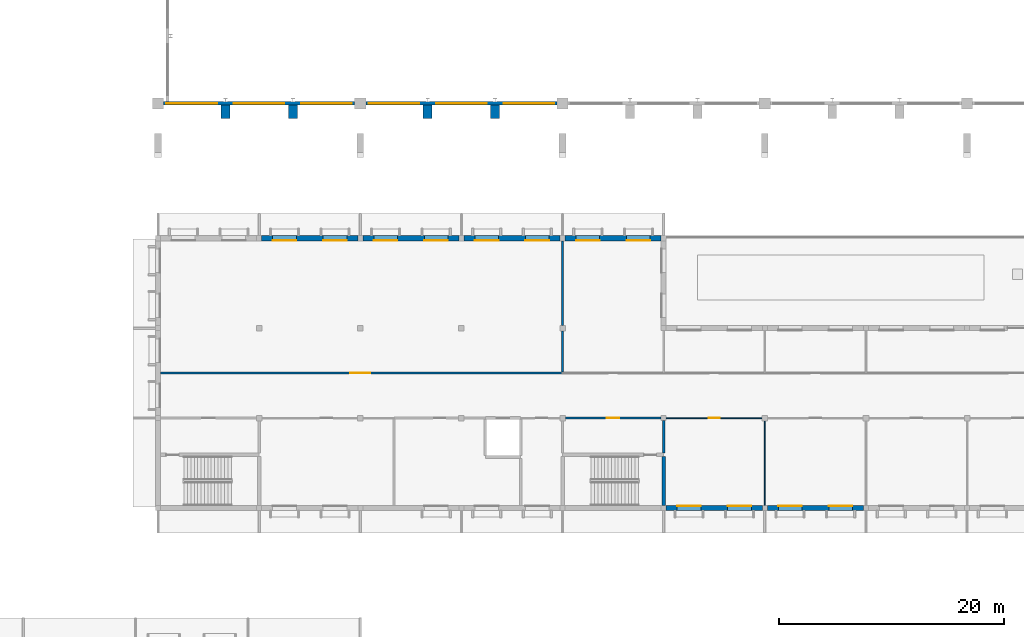
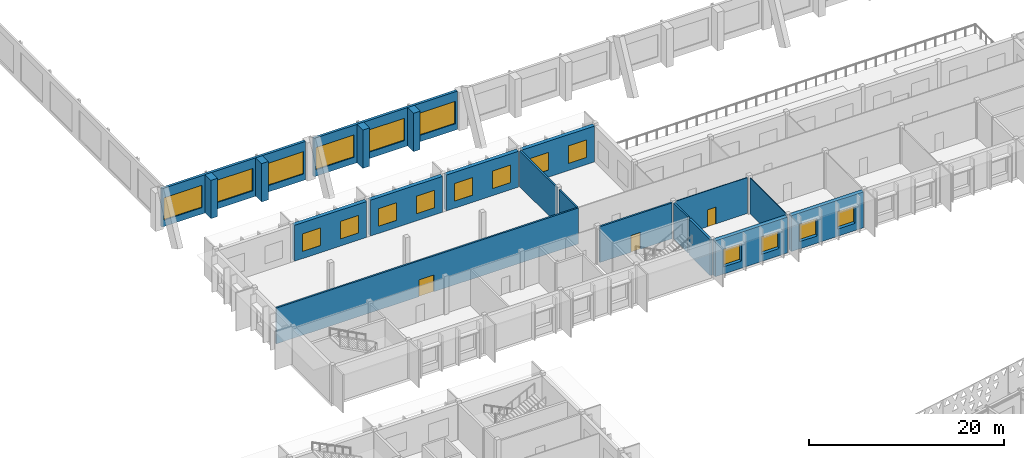
# One storey, part 127 of 182: 20 walls, 18 windows, 3 doors, 21 openings.
"""IFC4 building model written with IfcOpenShell, lengths in metres."""

import ifcopenshell
import ifcopenshell.guid

model = None  # the IFC model being written
_history = None  # IfcOwnerHistory: only IFC2X3 demands one
_inside = {}  # id of a spatial element -> (the spatial element, [elements in it])
_under = {}  # id of a project, library or spatial element -> (it, [spatial elements below it])
_declared = {}  # id of a project -> (the project, [libraries it declares])
_typed = {}  # id of a type object -> (the type object, [elements of that type])
_made_of = {}  # id of a material, layer set ... -> (it, [elements and type objects made of it])


def new_model(schema):
    """Start an empty IFC model of exactly this schema.

    Asked for "IFC4X3", IfcOpenShell would pick the latest addendum, in which some entities
    have other attributes; the version numbers below select the first issue.
    IFC2X3 requires an IfcOwnerHistory on every rooted entity: one is made here for all.
    """
    global model, _history
    if schema == "IFC4X3":
        model = ifcopenshell.file(schema_version=(4, 3, 0, 0))
    else:
        model = ifcopenshell.file(schema=schema)
    _inside.clear()
    _under.clear()
    _declared.clear()
    _typed.clear()
    _made_of.clear()
    _history = None
    if model.schema == "IFC2X3":
        org = make("IfcOrganization", Name="unknown")
        user = make(
            "IfcPersonAndOrganization",
            ThePerson=make("IfcPerson", FamilyName="unknown"),
            TheOrganization=org,
        )
        app = make(
            "IfcApplication",
            ApplicationDeveloper=org,
            Version="unknown",
            ApplicationFullName="unknown",
            ApplicationIdentifier="unknown",
        )
        _history = make(
            "IfcOwnerHistory",
            OwningUser=user,
            OwningApplication=app,
            ChangeAction="ADDED",
            CreationDate=0,
        )
    return model


def make(cls, **values):
    """One entity of the class cls with the attributes given. An attribute that is None is left unset."""
    return model.create_entity(
        cls, **{name: value for name, value in values.items() if value is not None}
    )


def rooted(cls, **values):
    """An entity with a GlobalId (a new one), such as an element, a storey or a relation."""
    return make(cls, GlobalId=ifcopenshell.guid.new(), OwnerHistory=_history, **values)


def si_unit(unit_type, name, prefix=None):
    """IfcSIUnit, for example si_unit("LENGTHUNIT", "METRE", prefix="MILLI")."""
    return make("IfcSIUnit", UnitType=unit_type, Prefix=prefix, Name=name)


def assignment(units):
    """IfcUnitAssignment: the units of a project."""
    return None if units is None else make("IfcUnitAssignment", Units=units)


def point(xyz):
    """IfcCartesianPoint."""
    return None if xyz is None else make("IfcCartesianPoint", Coordinates=xyz)


def direction(xyz):
    """IfcDirection."""
    return None if xyz is None else make("IfcDirection", DirectionRatios=xyz)


def frame(location, z_axis=None, x_axis=None):
    """IfcAxis2Placement3D, a coordinate frame: its origin and axes. An axis left out is left unset."""
    return make(
        "IfcAxis2Placement3D",
        Location=point(location),
        Axis=direction(z_axis),
        RefDirection=direction(x_axis),
    )


def frame_2d(location, x_axis=None):
    """IfcAxis2Placement2D, a coordinate frame in the plane: its origin and x axis."""
    return make(
        "IfcAxis2Placement2D", Location=point(location), RefDirection=direction(x_axis)
    )


def origin():
    """The frame at (0, 0, 0) with its axes left unset."""
    return frame((0.0, 0.0, 0.0))


def place(relative_to, where):
    """IfcLocalPlacement: puts the frame where relative to a parent placement (None: the world)."""
    return make(
        "IfcLocalPlacement", PlacementRelTo=relative_to, RelativePlacement=where
    )


def context(
    kind, dimensions, precision=None, world=None, true_north=None, identifier=None
):
    """IfcGeometricRepresentationContext, for example the 3D "Model" context."""
    return make(
        "IfcGeometricRepresentationContext",
        ContextIdentifier=identifier,
        ContextType=kind,
        CoordinateSpaceDimension=dimensions,
        Precision=precision,
        WorldCoordinateSystem=world,
        TrueNorth=true_north,
    )


def subcontext(parent, identifier, kind, view, scale=None):
    """IfcGeometricRepresentationSubContext, for example "Body" below "Model"."""
    return make(
        "IfcGeometricRepresentationSubContext",
        ContextIdentifier=identifier,
        ContextType=kind,
        ParentContext=parent,
        TargetScale=scale,
        TargetView=view,
    )


def project(units=None, contexts=None):
    """IfcProject with its units and contexts."""
    return rooted(
        "IfcProject",
        Name="project",
        RepresentationContexts=contexts,
        UnitsInContext=assignment(units),
    )


def spatial(cls, under=None, at=None, **own):
    """A site, building, storey or space (cls), placed at a placement, below another one or the project."""
    s = rooted(cls, ObjectPlacement=at, **own)
    if under is not None:
        _under.setdefault(under.id(), (under, []))[1].append(s)
    return s


def profile(cls, at=None, kind="AREA", **sizes):
    """A parametric profile (cls). Its sizes go by their IFC names, for example OverallWidth=200.0."""
    return make(cls, ProfileType=kind, Position=at, **sizes)


def rectangle(**sizes):
    """IfcRectangleProfileDef."""
    return profile("IfcRectangleProfileDef", **sizes)


def extrude(swept, where, along, depth):
    """IfcExtrudedAreaSolid: the profile swept, set in the frame where, extruded along a direction by depth."""
    return make(
        "IfcExtrudedAreaSolid",
        SweptArea=swept,
        Position=where,
        ExtrudedDirection=direction(along),
        Depth=depth,
    )


def shape(context_of_items, identifier, shape_type, items):
    """IfcShapeRepresentation: the items that make up one representation, for example the "Body"."""
    return make(
        "IfcShapeRepresentation",
        ContextOfItems=context_of_items,
        RepresentationIdentifier=identifier,
        RepresentationType=shape_type,
        Items=items,
    )


def material(Name=None, Category=None):
    """IfcMaterial."""
    return make("IfcMaterial", Name=Name, Category=Category)


def layer(
    of_material, thickness, ventilated=None, Name=None, Category=None, Priority=None
):
    """IfcMaterialLayer: one layer of a wall or slab, of a material (None: an air gap)."""
    return make(
        "IfcMaterialLayer",
        Material=of_material,
        LayerThickness=thickness,
        IsVentilated=ventilated,
        Name=Name,
        Category=Category,
        Priority=Priority,
    )


def layer_set(layers, Name=None):
    """IfcMaterialLayerSet."""
    return make("IfcMaterialLayerSet", MaterialLayers=layers, LayerSetName=Name)


def made_of(thing, what):
    """Note that an element or type object is made of a material, layer set ...; save() writes the relation."""
    if what is not None:
        _made_of.setdefault(what.id(), (what, []))[1].append(thing)
    return thing


def type_object(cls, material=None, **own):
    """A type object (cls), such as IfcWallType, which elements share."""
    return made_of(rooted(cls, **own), material)


def element(
    cls,
    number,
    at=None,
    inside=None,
    cuts=None,
    type_object=None,
    material=None,
    context=None,
    identifier="Body",
    shape_type=None,
    held_by="IfcProductDefinitionShape",
    body=None,
    shapes=None,
    **own,
):
    """One element of the class cls, such as IfcWall. Its Tag is "e" and its number.

    at: its placement. inside: the storey or other place that contains it. cuts: it is an
    opening in that element (IfcRelVoidsElement). A single representation is given by context,
    identifier, shape_type and body (its items); several are given by shapes. held_by: the class
    of the entity that holds the representations. save() writes the other relations.
    """
    e = rooted(cls, Tag="e%d" % number, ObjectPlacement=at, **own)
    if body is not None:
        shapes = [shape(context, identifier, shape_type, body)]
    if shapes is not None:
        e.Representation = make(held_by, Representations=shapes)
    if inside is not None:
        _inside.setdefault(inside.id(), (inside, []))[1].append(e)
    if cuts is not None:
        rooted(
            "IfcRelVoidsElement", RelatingBuildingElement=cuts, RelatedOpeningElement=e
        )
    if type_object is not None:
        _typed.setdefault(type_object.id(), (type_object, []))[1].append(e)
    return made_of(e, material)


def fill(opening, filler):
    """IfcRelFillsElement: the door or window that sits in an opening."""
    return rooted(
        "IfcRelFillsElement",
        RelatingOpeningElement=opening,
        RelatedBuildingElement=filler,
    )


def aggregate(whole, parts):
    """IfcRelAggregates: a whole, such as a stair, and the parts it consists of."""
    return rooted("IfcRelAggregates", RelatingObject=whole, RelatedObjects=parts)


def save(model, path):
    """Write the relations noted so far, then the file.

    IfcRelAggregates (storeys below a building ...), IfcRelContainedInSpatialStructure (elements
    in a storey), IfcRelDefinesByType, IfcRelAssociatesMaterial and IfcRelDeclares: one each for
    every whole, place, type object, material and project.
    """
    for whole, parts in _under.values():
        aggregate(whole, parts)
    for where, things in _inside.values():
        rooted(
            "IfcRelContainedInSpatialStructure",
            RelatedElements=things,
            RelatingStructure=where,
        )
    for kind, things in _typed.values():
        rooted("IfcRelDefinesByType", RelatedObjects=things, RelatingType=kind)
    for what, things in _made_of.values():
        rooted("IfcRelAssociatesMaterial", RelatedObjects=things, RelatingMaterial=what)
    for by, libraries in _declared.values():
        rooted("IfcRelDeclares", RelatingContext=by, RelatedDefinitions=libraries)
    model.write(path)


model = new_model("IFC4")

# Units and contexts
model_context = context("Model", 3, precision=1e-05, world=origin(), true_north=direction((0.0, 1.0)))
body_context = subcontext(model_context, "Body", "Model", "MODEL_VIEW")
ifc_project = project(units=[si_unit("LENGTHUNIT", "METRE"), si_unit("AREAUNIT", "SQUARE_METRE"), si_unit("VOLUMEUNIT", "CUBIC_METRE"), si_unit("PLANEANGLEUNIT", "RADIAN"), si_unit("MASSUNIT", "GRAM", prefix="KILO")], contexts=[model_context])

# Site, building, storey
site_placement = place(None, origin())
site = spatial("IfcSite", under=ifc_project, at=site_placement, CompositionType="ELEMENT")
building_placement = place(site_placement, origin())
building = spatial("IfcBuilding", under=site, at=building_placement, Name="Okhra Congress Centre", CompositionType="ELEMENT")
storey_placement = place(building_placement, frame((0.0, 0.0, 7.199951171875)))
storey = spatial("IfcBuildingStorey", under=building, at=storey_placement, Name="L01", CompositionType="ELEMENT", Elevation=7.199951171875)

# Walls
ifc_material_1 = material(Name="Concrete C35/45", Category="concrete")
ifc_layer_1 = layer(ifc_material_1, 0.800048828125)
ifc_layer_set_1 = layer_set([ifc_layer_1], Name="Buttress fin 800 REI 120 C35/45")
wall_type_1 = type_object("IfcWallType", Name="Buttress fin 800 REI 120 C35/45", PredefinedType="SOLIDWALL", material=ifc_layer_set_1)
for number, where, z_axis, x_axis, name in (
    (1, (34.0, 130.64990234375, 0.0), (0.0, 0.0, 1.0), (0.0, 1.0, 0.0), "EH.WALL.L01.8"),
    (2, (40.0, 130.64990234375, 0.0), (0.0, 0.0, 1.0), (0.0, 1.0, 0.0), "EH.WALL.L01.9"),
    (3, (52.0, 130.64990234375, 0.0), (0.0, 0.0, 1.0), (0.0, 1.0, 0.0), "EH.WALL.L01.10"),
    (4, (58.0, 130.64990234375, 0.0), (0.0, 0.0, 1.0), (0.0, 1.0, 0.0), "EH.WALL.L01.11"),
):
    element("IfcWall", number, at=place(storey_placement, frame(where, z_axis=z_axis, x_axis=x_axis)), inside=storey, type_object=wall_type_1, Name=name, PredefinedType="SOLIDWALL", context=body_context, shape_type="SweptSolid", body=[
        extrude(rectangle(XDim=1.210205078125, YDim=0.800048828125, at=frame_2d((0.60498046875, 0.0))), origin(), (0.0, 0.0, 1.0), 4.800048828125),
    ])

# Wall, openings, windows
ifc_material_2 = material(Name="Insulated metal sandwich panel (mineral wool core)")
ifc_layer_2 = layer(ifc_material_2, 0.300048828125)
ifc_layer_set_2 = layer_set([ifc_layer_2], Name="Insulated wall panel 300")
wall_type_2 = type_object("IfcWallType", Name="Insulated wall panel 300", PredefinedType="SOLIDWALL", material=ifc_layer_set_2)
wall_1_placement = place(storey_placement, frame((28.5, 132.0, 0.0), z_axis=(0.0, 0.0, 1.0), x_axis=(1.0, 0.0, 0.0)))
wall_1 = element("IfcWall", 5, at=wall_1_placement, inside=storey, type_object=wall_type_2, Name="EH.WALL.L01.1", PredefinedType="SOLIDWALL", context=body_context, shape_type="SweptSolid", body=[
    extrude(rectangle(XDim=17.0, YDim=0.300048828125, at=frame_2d((8.5, 0.0))), origin(), (0.0, 0.0, 1.0), 4.800048828125),
])
opening_1_placement = place(wall_1_placement, frame((0.25, 0.0, 0.800048828125)))
opening_1 = element("IfcOpeningElement", 6, at=opening_1_placement, cuts=wall_1, Name="Opening WN3", PredefinedType="OPENING", context=body_context, shape_type="SweptSolid", body=[
    extrude(rectangle(XDim=4.5, YDim=2.800048828125, at=frame_2d((2.25, 1.39990234375))), frame((0.0, 0.159912109375, 0.0), z_axis=(0.0, -1.0, 0.0), x_axis=(1.0, 0.0, 0.0)), (0.0, 0.0, 1.0), 0.320068359375),
])
opening_2_placement = place(wall_1_placement, frame((6.25, 0.0, 0.800048828125)))
opening_2 = element("IfcOpeningElement", 7, at=opening_2_placement, cuts=wall_1, Name="Opening WN3", PredefinedType="OPENING", context=body_context, shape_type="SweptSolid", body=[
    extrude(rectangle(XDim=4.5, YDim=2.800048828125, at=frame_2d((2.25, 1.39990234375))), frame((0.0, 0.159912109375, 0.0), z_axis=(0.0, -1.0, 0.0), x_axis=(1.0, 0.0, 0.0)), (0.0, 0.0, 1.0), 0.320068359375),
])
opening_3_placement = place(wall_1_placement, frame((12.25, 0.0, 0.800048828125)))
opening_3 = element("IfcOpeningElement", 8, at=opening_3_placement, cuts=wall_1, Name="Opening WN3", PredefinedType="OPENING", context=body_context, shape_type="SweptSolid", body=[
    extrude(rectangle(XDim=4.5, YDim=2.800048828125, at=frame_2d((2.25, 1.39990234375))), frame((0.0, 0.159912109375, 0.0), z_axis=(0.0, -1.0, 0.0), x_axis=(1.0, 0.0, 0.0)), (0.0, 0.0, 1.0), 0.320068359375),
])
ifc_material_3 = material(Name="Thermally broken aluminium frame, triple glazing", Category="aluminium")
window_type_1 = type_object("IfcWindowType", Name="Fixed window 4500x2800", PartitioningType="SINGLE_PANEL", PredefinedType="WINDOW", material=ifc_material_3)
window_1_placement = place(opening_1_placement, origin())
window_1 = element("IfcWindow", 9, at=window_1_placement, inside=storey, type_object=window_type_1, Name="EH.WIN.L01.1", OverallHeight=2.800048828125, OverallWidth=4.5, PartitioningType="SINGLE_PANEL", PredefinedType="WINDOW", context=body_context, shape_type="SweptSolid", body=[
    extrude(rectangle(XDim=4.5, YDim=2.800048828125, at=frame_2d((2.25, 1.39990234375))), frame((0.0, 0.030029296875, 0.0), z_axis=(0.0, -1.0, 0.0), x_axis=(1.0, 0.0, 0.0)), (0.0, 0.0, 1.0), 0.06005859375),
])
fill(opening_1, window_1)
window_2_placement = place(opening_2_placement, origin())
window_2 = element("IfcWindow", 10, at=window_2_placement, inside=storey, type_object=window_type_1, Name="EH.WIN.L01.2", OverallHeight=2.800048828125, OverallWidth=4.5, PartitioningType="SINGLE_PANEL", PredefinedType="WINDOW", context=body_context, shape_type="SweptSolid", body=[
    extrude(rectangle(XDim=4.5, YDim=2.800048828125, at=frame_2d((2.25, 1.39990234375))), frame((0.0, 0.030029296875, 0.0), z_axis=(0.0, -1.0, 0.0), x_axis=(1.0, 0.0, 0.0)), (0.0, 0.0, 1.0), 0.06005859375),
])
fill(opening_2, window_2)
window_3_placement = place(opening_3_placement, origin())
window_3 = element("IfcWindow", 11, at=window_3_placement, inside=storey, type_object=window_type_1, Name="EH.WIN.L01.3", OverallHeight=2.800048828125, OverallWidth=4.5, PartitioningType="SINGLE_PANEL", PredefinedType="WINDOW", context=body_context, shape_type="SweptSolid", body=[
    extrude(rectangle(XDim=4.5, YDim=2.800048828125, at=frame_2d((2.25, 1.39990234375))), frame((0.0, 0.030029296875, 0.0), z_axis=(0.0, -1.0, 0.0), x_axis=(1.0, 0.0, 0.0)), (0.0, 0.0, 1.0), 0.06005859375),
])
fill(opening_3, window_3)

wall_2_placement = place(storey_placement, frame((46.5, 132.0, 0.0), z_axis=(0.0, 0.0, 1.0), x_axis=(1.0, 0.0, 0.0)))
wall_2 = element("IfcWall", 12, at=wall_2_placement, inside=storey, type_object=wall_type_2, Name="EH.WALL.L01.2", PredefinedType="SOLIDWALL", context=body_context, shape_type="SweptSolid", body=[
    extrude(rectangle(XDim=17.0, YDim=0.300048828125, at=frame_2d((8.5, 0.0))), origin(), (0.0, 0.0, 1.0), 4.800048828125),
])
opening_4_placement = place(wall_2_placement, frame((0.25, 0.0, 0.800048828125)))
opening_4 = element("IfcOpeningElement", 13, at=opening_4_placement, cuts=wall_2, Name="Opening WN3", PredefinedType="OPENING", context=body_context, shape_type="SweptSolid", body=[
    extrude(rectangle(XDim=4.5, YDim=2.800048828125, at=frame_2d((2.25, 1.39990234375))), frame((0.0, 0.159912109375, 0.0), z_axis=(0.0, -1.0, 0.0), x_axis=(1.0, 0.0, 0.0)), (0.0, 0.0, 1.0), 0.320068359375),
])
opening_5_placement = place(wall_2_placement, frame((6.25, 0.0, 0.800048828125)))
opening_5 = element("IfcOpeningElement", 14, at=opening_5_placement, cuts=wall_2, Name="Opening WN3", PredefinedType="OPENING", context=body_context, shape_type="SweptSolid", body=[
    extrude(rectangle(XDim=4.5, YDim=2.800048828125, at=frame_2d((2.25, 1.39990234375))), frame((0.0, 0.159912109375, 0.0), z_axis=(0.0, -1.0, 0.0), x_axis=(1.0, 0.0, 0.0)), (0.0, 0.0, 1.0), 0.320068359375),
])
opening_6_placement = place(wall_2_placement, frame((12.25, 0.0, 0.800048828125)))
opening_6 = element("IfcOpeningElement", 15, at=opening_6_placement, cuts=wall_2, Name="Opening WN3", PredefinedType="OPENING", context=body_context, shape_type="SweptSolid", body=[
    extrude(rectangle(XDim=4.5, YDim=2.800048828125, at=frame_2d((2.25, 1.39990234375))), frame((0.0, 0.159912109375, 0.0), z_axis=(0.0, -1.0, 0.0), x_axis=(1.0, 0.0, 0.0)), (0.0, 0.0, 1.0), 0.320068359375),
])
window_4_placement = place(opening_4_placement, origin())
window_4 = element("IfcWindow", 16, at=window_4_placement, inside=storey, type_object=window_type_1, Name="EH.WIN.L01.4", OverallHeight=2.800048828125, OverallWidth=4.5, PartitioningType="SINGLE_PANEL", PredefinedType="WINDOW", context=body_context, shape_type="SweptSolid", body=[
    extrude(rectangle(XDim=4.5, YDim=2.800048828125, at=frame_2d((2.25, 1.39990234375))), frame((0.0, 0.030029296875, 0.0), z_axis=(0.0, -1.0, 0.0), x_axis=(1.0, 0.0, 0.0)), (0.0, 0.0, 1.0), 0.06005859375),
])
fill(opening_4, window_4)
window_5_placement = place(opening_5_placement, origin())
window_5 = element("IfcWindow", 17, at=window_5_placement, inside=storey, type_object=window_type_1, Name="EH.WIN.L01.5", OverallHeight=2.800048828125, OverallWidth=4.5, PartitioningType="SINGLE_PANEL", PredefinedType="WINDOW", context=body_context, shape_type="SweptSolid", body=[
    extrude(rectangle(XDim=4.5, YDim=2.800048828125, at=frame_2d((2.25, 1.39990234375))), frame((0.0, 0.030029296875, 0.0), z_axis=(0.0, -1.0, 0.0), x_axis=(1.0, 0.0, 0.0)), (0.0, 0.0, 1.0), 0.06005859375),
])
fill(opening_5, window_5)
window_6_placement = place(opening_6_placement, origin())
window_6 = element("IfcWindow", 18, at=window_6_placement, inside=storey, type_object=window_type_1, Name="EH.WIN.L01.6", OverallHeight=2.800048828125, OverallWidth=4.5, PartitioningType="SINGLE_PANEL", PredefinedType="WINDOW", context=body_context, shape_type="SweptSolid", body=[
    extrude(rectangle(XDim=4.5, YDim=2.800048828125, at=frame_2d((2.25, 1.39990234375))), frame((0.0, 0.030029296875, 0.0), z_axis=(0.0, -1.0, 0.0), x_axis=(1.0, 0.0, 0.0)), (0.0, 0.0, 1.0), 0.06005859375),
])
fill(opening_6, window_6)

# Wall, opening, door
ifc_material_4 = material(Name="Masonry blockwork (aerated concrete D500)", Category="masonry")
ifc_layer_3 = layer(ifc_material_4, 0.199951171875)
ifc_layer_set_3 = layer_set([ifc_layer_3], Name="Masonry block wall 200 EI 45")
wall_type_3 = type_object("IfcWallType", Name="Masonry block wall 200 EI 45", PredefinedType="SOLIDWALL", material=ifc_layer_set_3)
wall_3_placement = place(storey_placement, frame((64.25, 104.0, 0.0), z_axis=(0.0, 0.0, 1.0), x_axis=(1.0, 0.0, 0.0)))
wall_3 = element("IfcWall", 19, at=wall_3_placement, inside=storey, type_object=wall_type_3, Name="SV.WALL.L01.22", PredefinedType="SOLIDWALL", context=body_context, shape_type="SweptSolid", body=[
    extrude(rectangle(XDim=8.52490234375, YDim=0.199951171875, at=frame_2d((4.262451171875, 0.0))), origin(), (0.0, 0.0, 1.0), 4.5),
])
opening_7_placement = place(wall_3_placement, frame((3.699951171875, 0.0, 0.0)))
opening_7 = element("IfcOpeningElement", 20, at=opening_7_placement, cuts=wall_3, Name="Opening L01-034", PredefinedType="OPENING", context=body_context, shape_type="SweptSolid", body=[
    extrude(rectangle(XDim=1.10009765625, YDim=2.10009765625, at=frame_2d((0.550048828125, 1.050048828125))), frame((0.0, 0.10986328125, 0.0), z_axis=(0.0, -1.0, 0.0), x_axis=(1.0, 0.0, 0.0)), (0.0, 0.0, 1.0), 0.219970703125),
])
ifc_material_5 = material(Name="Steel fire door leaf in steel frame, intumescent seals", Category="steel")
door_type_1 = type_object("IfcDoorType", Name="Steel fire door 1100x2100 EI 30", OperationType="NOTDEFINED", PredefinedType="DOOR", material=ifc_material_5)
door_1_placement = place(opening_7_placement, frame((1.10009765625, 0.0, 0.0), z_axis=(0.0, 0.0, 1.0), x_axis=(-1.0, 0.0, 0.0)))
door_1 = element("IfcDoor", 21, at=door_1_placement, inside=storey, type_object=door_type_1, Name="Door L01-034", OperationType="SINGLE_SWING_RIGHT", OverallHeight=2.10009765625, OverallWidth=1.10009765625, PredefinedType="DOOR", context=body_context, shape_type="SweptSolid", body=[
    extrude(rectangle(XDim=1.10009765625, YDim=2.10009765625, at=frame_2d((0.550048828125, 1.050048828125))), frame((0.0, 0.02490234375, 0.0), z_axis=(0.0, -1.0, 0.0), x_axis=(1.0, 0.0, 0.0)), (0.0, 0.0, 1.0), 0.050048828125),
])
fill(opening_7, door_1)

wall_4_placement = place(storey_placement, frame((28.22509765625, 108.0, 0.0), z_axis=(0.0, 0.0, 1.0), x_axis=(1.0, 0.0, 0.0)))
wall_4 = element("IfcWall", 22, at=wall_4_placement, inside=storey, type_object=wall_type_3, Name="SV.WALL.L01.28", PredefinedType="SOLIDWALL", context=body_context, shape_type="SweptSolid", body=[
    extrude(rectangle(XDim=35.77490234375, YDim=0.199951171875, at=frame_2d((17.887451171875, 0.0))), origin(), (0.0, 0.0, 1.0), 4.5),
])
opening_8_placement = place(wall_4_placement, frame((16.875, 0.0, 0.0)))
opening_8 = element("IfcOpeningElement", 23, at=opening_8_placement, cuts=wall_4, Name="Opening L01-041", PredefinedType="OPENING", context=body_context, shape_type="SweptSolid", body=[
    extrude(rectangle(XDim=1.800048828125, YDim=2.10009765625, at=frame_2d((0.89990234375, 1.050048828125))), frame((0.0, 0.10986328125, 0.0), z_axis=(0.0, -1.0, 0.0), x_axis=(1.0, 0.0, 0.0)), (0.0, 0.0, 1.0), 0.219970703125),
])
ifc_material_6 = material(Name="Steel fire door leaves in steel frame, intumescent seals", Category="steel")
door_type_2 = type_object("IfcDoorType", Name="Steel fire door pair 1800x2100 EI 30", OperationType="NOTDEFINED", PredefinedType="DOOR", material=ifc_material_6)
door_2_placement = place(opening_8_placement, frame((1.800048828125, 0.0, 0.0), z_axis=(0.0, 0.0, 1.0), x_axis=(-1.0, 0.0, 0.0)))
door_2 = element("IfcDoor", 24, at=door_2_placement, inside=storey, type_object=door_type_2, Name="Door L01-041", OperationType="DOUBLE_DOOR_SINGLE_SWING", OverallHeight=2.10009765625, OverallWidth=1.800048828125, PredefinedType="DOOR", context=body_context, shape_type="SweptSolid", body=[
    extrude(rectangle(XDim=1.800048828125, YDim=2.10009765625, at=frame_2d((0.89990234375, 1.050048828125))), frame((0.0, 0.02490234375, 0.0), z_axis=(0.0, -1.0, 0.0), x_axis=(1.0, 0.0, 0.0)), (0.0, 0.0, 1.0), 0.050048828125),
])
fill(opening_8, door_2)

# Walls
wall_5_placement = place(storey_placement, frame((64.0, 108.10009765625, 0.0), z_axis=(0.0, 0.0, 1.0), x_axis=(0.0, 1.0, 0.0)))
element("IfcWall", 25, at=wall_5_placement, inside=storey, type_object=wall_type_3, Name="SV.WALL.L01.51", PredefinedType="SOLIDWALL", context=body_context, shape_type="SweptSolid", body=[
    extrude(rectangle(XDim=3.64990234375, YDim=0.199951171875, at=frame_2d((1.824951171875, 0.0))), origin(), (0.0, 0.0, 1.0), 4.5),
])
wall_6_placement = place(storey_placement, frame((64.0, 112.25, 0.0), z_axis=(0.0, 0.0, 1.0), x_axis=(0.0, 1.0, 0.0)))
element("IfcWall", 26, at=wall_6_placement, inside=storey, type_object=wall_type_3, Name="SV.WALL.L01.52", PredefinedType="SOLIDWALL", context=body_context, shape_type="SweptSolid", body=[
    extrude(rectangle(XDim=7.52490234375, YDim=0.199951171875, at=frame_2d((3.762451171875, 0.0))), origin(), (0.0, 0.0, 1.0), 4.5),
])
wall_7_placement = place(storey_placement, frame((73.0, 100.875, 0.0), z_axis=(0.0, 0.0, 1.0), x_axis=(0.0, 1.0, 0.0)))
element("IfcWall", 27, at=wall_7_placement, inside=storey, type_object=wall_type_3, Name="SV.WALL.L01.54", PredefinedType="SOLIDWALL", context=body_context, shape_type="SweptSolid", body=[
    extrude(rectangle(XDim=2.89990234375, YDim=0.199951171875, at=frame_2d((1.449951171875, 0.0))), origin(), (0.0, 0.0, 1.0), 4.5),
])

# Wall, opening, door
ifc_material_7 = material(Name="Gypsum board on steel studs", Category="steel")
ifc_layer_4 = layer(ifc_material_7, 0.10009765625)
ifc_layer_set_4 = layer_set([ifc_layer_4], Name="Partition 100 EI 15")
wall_type_4 = type_object("IfcWallType", Name="Partition 100 EI 15", PredefinedType="PARTITIONING", material=ifc_layer_set_4)
wall_8_placement = place(storey_placement, frame((73.22509765625, 104.0, 0.0), z_axis=(0.0, 0.0, 1.0), x_axis=(1.0, 0.0, 0.0)))
wall_8 = element("IfcWall", 28, at=wall_8_placement, inside=storey, type_object=wall_type_4, Name="SV.WALL.L01.23", PredefinedType="PARTITIONING", context=body_context, shape_type="SweptSolid", body=[
    extrude(rectangle(XDim=8.52490234375, YDim=0.10009765625, at=frame_2d((4.262451171875, 0.0))), origin(), (0.0, 0.0, 1.0), 4.5),
])
opening_9_placement = place(wall_8_placement, frame((3.77490234375, 0.0, 0.0)))
opening_9 = element("IfcOpeningElement", 29, at=opening_9_placement, cuts=wall_8, Name="Opening L01-043", PredefinedType="OPENING", context=body_context, shape_type="SweptSolid", body=[
    extrude(rectangle(XDim=1.0, YDim=2.10009765625, at=frame_2d((0.5, 1.050048828125))), frame((0.0, 0.06005859375, 0.0), z_axis=(0.0, -1.0, 0.0), x_axis=(1.0, 0.0, 0.0)), (0.0, 0.0, 1.0), 0.1201171875),
])
ifc_material_8 = material(Name="Timber door leaf in steel frame", Category="steel")
door_type_3 = type_object("IfcDoorType", Name="Single swing door 1000x2100", OperationType="NOTDEFINED", PredefinedType="DOOR", material=ifc_material_8)
door_3_placement = place(opening_9_placement, origin())
door_3 = element("IfcDoor", 30, at=door_3_placement, inside=storey, type_object=door_type_3, Name="Door L01-043", OperationType="SINGLE_SWING_RIGHT", OverallHeight=2.10009765625, OverallWidth=1.0, PredefinedType="DOOR", context=body_context, shape_type="SweptSolid", body=[
    extrude(rectangle(XDim=1.0, YDim=2.10009765625, at=frame_2d((0.5, 1.050048828125))), frame((0.0, 0.02490234375, 0.0), z_axis=(0.0, -1.0, 0.0), x_axis=(1.0, 0.0, 0.0)), (0.0, 0.0, 1.0), 0.050048828125),
])
fill(opening_9, door_3)

# Walls
wall_9_placement = place(storey_placement, frame((82.0, 96.22509765625, 0.0), z_axis=(0.0, 0.0, 1.0), x_axis=(0.0, 1.0, 0.0)))
element("IfcWall", 31, at=wall_9_placement, inside=storey, type_object=wall_type_4, Name="SV.WALL.L01.57", PredefinedType="PARTITIONING", context=body_context, shape_type="SweptSolid", body=[
    extrude(rectangle(XDim=7.52490234375, YDim=0.10009765625, at=frame_2d((3.762451171875, 0.0))), origin(), (0.0, 0.0, 1.0), 4.5),
])
ifc_layer_5 = layer(ifc_material_1, 0.300048828125)
ifc_layer_set_5 = layer_set([ifc_layer_5], Name="RC core wall 300 REI 120 C35/45")
wall_type_5 = type_object("IfcWallType", Name="RC core wall 300 REI 120 C35/45", PredefinedType="SHEAR", material=ifc_layer_set_5)
wall_10_placement = place(storey_placement, frame((73.0, 96.22509765625, 0.0), z_axis=(0.0, 0.0, 1.0), x_axis=(0.0, 1.0, 0.0)))
element("IfcWall", 32, at=wall_10_placement, inside=storey, type_object=wall_type_5, Name="SV.WALL.L01.53", PredefinedType="SHEAR", context=body_context, shape_type="SweptSolid", body=[
    extrude(rectangle(XDim=4.349853515625, YDim=0.300048828125, at=frame_2d((2.1748046875, 0.0))), origin(), (0.0, 0.0, 1.0), 4.5),
])

# Wall, openings, windows
ifc_material_9 = material(Name="Render on mineral wool insulation over masonry backing", Category="masonry")
ifc_layer_6 = layer(ifc_material_9, 0.449951171875)
ifc_layer_set_6 = layer_set([ifc_layer_6], Name="Rendered insulated wall 450")
wall_type_6 = type_object("IfcWallType", Name="Rendered insulated wall 450", PredefinedType="SOLIDWALL", material=ifc_layer_set_6)
wall_11_placement = place(storey_placement, frame((73.22509765625, 96.0, 0.0), z_axis=(0.0, 0.0, 1.0), x_axis=(1.0, 0.0, 0.0)))
wall_11 = element("IfcWall", 33, at=wall_11_placement, inside=storey, type_object=wall_type_6, Name="SV.WALL.L01.6", PredefinedType="SOLIDWALL", context=body_context, shape_type="SweptSolid", body=[
    extrude(rectangle(XDim=8.5498046875, YDim=0.449951171875, at=frame_2d((4.27490234375, 0.0))), origin(), (0.0, 0.0, 1.0), 4.5),
])
opening_10_placement = place(wall_11_placement, frame((0.97509765625, 0.0, 0.89990234375)))
opening_10 = element("IfcOpeningElement", 34, at=opening_10_placement, cuts=wall_11, Name="Opening WN15", PredefinedType="OPENING", context=body_context, shape_type="SweptSolid", body=[
    extrude(rectangle(XDim=2.10009765625, YDim=2.199951171875, at=frame_2d((1.050048828125, 1.10009765625))), frame((0.0, 0.23486328125, 0.0), z_axis=(0.0, -1.0, 0.0), x_axis=(1.0, 0.0, 0.0)), (0.0, 0.0, 1.0), 0.469970703125),
])
opening_11_placement = place(wall_11_placement, frame((5.47509765625, 0.0, 0.89990234375)))
opening_11 = element("IfcOpeningElement", 35, at=opening_11_placement, cuts=wall_11, Name="Opening WN15", PredefinedType="OPENING", context=body_context, shape_type="SweptSolid", body=[
    extrude(rectangle(XDim=2.10009765625, YDim=2.199951171875, at=frame_2d((1.050048828125, 1.10009765625))), frame((0.0, 0.23486328125, 0.0), z_axis=(0.0, -1.0, 0.0), x_axis=(1.0, 0.0, 0.0)), (0.0, 0.0, 1.0), 0.469970703125),
])
window_type_2 = type_object("IfcWindowType", Name="Tilt-and-turn window 2100x2200", PartitioningType="SINGLE_PANEL", PredefinedType="WINDOW", material=ifc_material_3)
window_7_placement = place(opening_10_placement, origin())
window_7 = element("IfcWindow", 36, at=window_7_placement, inside=storey, type_object=window_type_2, Name="SV.WIN.L01.6", OverallHeight=2.199951171875, OverallWidth=2.10009765625, PartitioningType="SINGLE_PANEL", PredefinedType="WINDOW", context=body_context, shape_type="SweptSolid", body=[
    extrude(rectangle(XDim=2.10009765625, YDim=2.199951171875, at=frame_2d((1.050048828125, 1.10009765625))), frame((0.0, 0.215087890625, 0.0), z_axis=(0.0, -1.0, 0.0), x_axis=(1.0, 0.0, 0.0)), (0.0, 0.0, 1.0), 0.06005859375),
])
fill(opening_10, window_7)
window_8_placement = place(opening_11_placement, origin())
window_8 = element("IfcWindow", 37, at=window_8_placement, inside=storey, type_object=window_type_2, Name="SV.WIN.L01.7", OverallHeight=2.199951171875, OverallWidth=2.10009765625, PartitioningType="SINGLE_PANEL", PredefinedType="WINDOW", context=body_context, shape_type="SweptSolid", body=[
    extrude(rectangle(XDim=2.10009765625, YDim=2.199951171875, at=frame_2d((1.050048828125, 1.10009765625))), frame((0.0, 0.215087890625, 0.0), z_axis=(0.0, -1.0, 0.0), x_axis=(1.0, 0.0, 0.0)), (0.0, 0.0, 1.0), 0.06005859375),
])
fill(opening_11, window_8)

wall_12_placement = place(storey_placement, frame((82.22509765625, 96.0, 0.0), z_axis=(0.0, 0.0, 1.0), x_axis=(1.0, 0.0, 0.0)))
wall_12 = element("IfcWall", 38, at=wall_12_placement, inside=storey, type_object=wall_type_6, Name="SV.WALL.L01.7", PredefinedType="SOLIDWALL", context=body_context, shape_type="SweptSolid", body=[
    extrude(rectangle(XDim=8.5498046875, YDim=0.449951171875, at=frame_2d((4.27490234375, 0.0))), origin(), (0.0, 0.0, 1.0), 4.5),
])
opening_12_placement = place(wall_12_placement, frame((0.97509765625, 0.0, 0.89990234375)))
opening_12 = element("IfcOpeningElement", 39, at=opening_12_placement, cuts=wall_12, Name="Opening WN15", PredefinedType="OPENING", context=body_context, shape_type="SweptSolid", body=[
    extrude(rectangle(XDim=2.10009765625, YDim=2.199951171875, at=frame_2d((1.050048828125, 1.10009765625))), frame((0.0, 0.23486328125, 0.0), z_axis=(0.0, -1.0, 0.0), x_axis=(1.0, 0.0, 0.0)), (0.0, 0.0, 1.0), 0.469970703125),
])
opening_13_placement = place(wall_12_placement, frame((5.47509765625, 0.0, 0.89990234375)))
opening_13 = element("IfcOpeningElement", 40, at=opening_13_placement, cuts=wall_12, Name="Opening WN15", PredefinedType="OPENING", context=body_context, shape_type="SweptSolid", body=[
    extrude(rectangle(XDim=2.10009765625, YDim=2.199951171875, at=frame_2d((1.050048828125, 1.10009765625))), frame((0.0, 0.23486328125, 0.0), z_axis=(0.0, -1.0, 0.0), x_axis=(1.0, 0.0, 0.0)), (0.0, 0.0, 1.0), 0.469970703125),
])
window_9_placement = place(opening_12_placement, origin())
window_9 = element("IfcWindow", 41, at=window_9_placement, inside=storey, type_object=window_type_2, Name="SV.WIN.L01.8", OverallHeight=2.199951171875, OverallWidth=2.10009765625, PartitioningType="SINGLE_PANEL", PredefinedType="WINDOW", context=body_context, shape_type="SweptSolid", body=[
    extrude(rectangle(XDim=2.10009765625, YDim=2.199951171875, at=frame_2d((1.050048828125, 1.10009765625))), frame((0.0, 0.215087890625, 0.0), z_axis=(0.0, -1.0, 0.0), x_axis=(1.0, 0.0, 0.0)), (0.0, 0.0, 1.0), 0.06005859375),
])
fill(opening_12, window_9)
window_10_placement = place(opening_13_placement, origin())
window_10 = element("IfcWindow", 42, at=window_10_placement, inside=storey, type_object=window_type_2, Name="SV.WIN.L01.9", OverallHeight=2.199951171875, OverallWidth=2.10009765625, PartitioningType="SINGLE_PANEL", PredefinedType="WINDOW", context=body_context, shape_type="SweptSolid", body=[
    extrude(rectangle(XDim=2.10009765625, YDim=2.199951171875, at=frame_2d((1.050048828125, 1.10009765625))), frame((0.0, 0.215087890625, 0.0), z_axis=(0.0, -1.0, 0.0), x_axis=(1.0, 0.0, 0.0)), (0.0, 0.0, 1.0), 0.06005859375),
])
fill(opening_13, window_10)

wall_13_placement = place(storey_placement, frame((72.77490234375, 120.0, 0.0), z_axis=(0.0, 0.0, 1.0), x_axis=(-1.0, 0.0, 0.0)))
wall_13 = element("IfcWall", 43, at=wall_13_placement, inside=storey, type_object=wall_type_6, Name="SV.WALL.L01.39", PredefinedType="SOLIDWALL", context=body_context, shape_type="SweptSolid", body=[
    extrude(rectangle(XDim=8.5498046875, YDim=0.449951171875, at=frame_2d((4.27490234375, 0.0))), origin(), (0.0, 0.0, 1.0), 4.5),
])
opening_14_placement = place(wall_13_placement, frame((5.47509765625, 0.0, 0.89990234375)))
opening_14 = element("IfcOpeningElement", 44, at=opening_14_placement, cuts=wall_13, Name="Opening WN15", PredefinedType="OPENING", context=body_context, shape_type="SweptSolid", body=[
    extrude(rectangle(XDim=2.10009765625, YDim=2.199951171875, at=frame_2d((1.050048828125, 1.10009765625))), frame((0.0, 0.23486328125, 0.0), z_axis=(0.0, -1.0, 0.0), x_axis=(1.0, 0.0, 0.0)), (0.0, 0.0, 1.0), 0.469970703125),
])
opening_15_placement = place(wall_13_placement, frame((0.97509765625, 0.0, 0.89990234375)))
opening_15 = element("IfcOpeningElement", 45, at=opening_15_placement, cuts=wall_13, Name="Opening WN15", PredefinedType="OPENING", context=body_context, shape_type="SweptSolid", body=[
    extrude(rectangle(XDim=2.10009765625, YDim=2.199951171875, at=frame_2d((1.050048828125, 1.10009765625))), frame((0.0, 0.23486328125, 0.0), z_axis=(0.0, -1.0, 0.0), x_axis=(1.0, 0.0, 0.0)), (0.0, 0.0, 1.0), 0.469970703125),
])
window_11_placement = place(opening_14_placement, origin())
window_11 = element("IfcWindow", 46, at=window_11_placement, inside=storey, type_object=window_type_2, Name="SV.WIN.L01.32", OverallHeight=2.199951171875, OverallWidth=2.10009765625, PartitioningType="SINGLE_PANEL", PredefinedType="WINDOW", context=body_context, shape_type="SweptSolid", body=[
    extrude(rectangle(XDim=2.10009765625, YDim=2.199951171875, at=frame_2d((1.050048828125, 1.10009765625))), frame((0.0, 0.215087890625, 0.0), z_axis=(0.0, -1.0, 0.0), x_axis=(1.0, 0.0, 0.0)), (0.0, 0.0, 1.0), 0.06005859375),
])
fill(opening_14, window_11)
window_12_placement = place(opening_15_placement, origin())
window_12 = element("IfcWindow", 47, at=window_12_placement, inside=storey, type_object=window_type_2, Name="SV.WIN.L01.33", OverallHeight=2.199951171875, OverallWidth=2.10009765625, PartitioningType="SINGLE_PANEL", PredefinedType="WINDOW", context=body_context, shape_type="SweptSolid", body=[
    extrude(rectangle(XDim=2.10009765625, YDim=2.199951171875, at=frame_2d((1.050048828125, 1.10009765625))), frame((0.0, 0.215087890625, 0.0), z_axis=(0.0, -1.0, 0.0), x_axis=(1.0, 0.0, 0.0)), (0.0, 0.0, 1.0), 0.06005859375),
])
fill(opening_15, window_12)

ifc_layer_7 = layer(ifc_material_9, 0.449951171875)
ifc_layer_set_7 = layer_set([ifc_layer_7], Name="Rendered insulated wall 450 EI 45")
wall_type_7 = type_object("IfcWallType", Name="Rendered insulated wall 450 EI 45", PredefinedType="SOLIDWALL", material=ifc_layer_set_7)
wall_14_placement = place(storey_placement, frame((45.77490234375, 120.0, 0.0), z_axis=(0.0, 0.0, 1.0), x_axis=(-1.0, 0.0, 0.0)))
wall_14 = element("IfcWall", 48, at=wall_14_placement, inside=storey, type_object=wall_type_7, Name="SV.WALL.L01.36", PredefinedType="SOLIDWALL", context=body_context, shape_type="SweptSolid", body=[
    extrude(rectangle(XDim=8.5498046875, YDim=0.449951171875, at=frame_2d((4.27490234375, 0.0))), origin(), (0.0, 0.0, 1.0), 4.5),
])
opening_16_placement = place(wall_14_placement, frame((5.47509765625, 0.0, 0.89990234375)))
opening_16 = element("IfcOpeningElement", 49, at=opening_16_placement, cuts=wall_14, Name="Opening WN15", PredefinedType="OPENING", context=body_context, shape_type="SweptSolid", body=[
    extrude(rectangle(XDim=2.10009765625, YDim=2.199951171875, at=frame_2d((1.050048828125, 1.10009765625))), frame((0.0, 0.23486328125, 0.0), z_axis=(0.0, -1.0, 0.0), x_axis=(1.0, 0.0, 0.0)), (0.0, 0.0, 1.0), 0.469970703125),
])
opening_17_placement = place(wall_14_placement, frame((0.97509765625, 0.0, 0.89990234375)))
opening_17 = element("IfcOpeningElement", 50, at=opening_17_placement, cuts=wall_14, Name="Opening WN15", PredefinedType="OPENING", context=body_context, shape_type="SweptSolid", body=[
    extrude(rectangle(XDim=2.10009765625, YDim=2.199951171875, at=frame_2d((1.050048828125, 1.10009765625))), frame((0.0, 0.23486328125, 0.0), z_axis=(0.0, -1.0, 0.0), x_axis=(1.0, 0.0, 0.0)), (0.0, 0.0, 1.0), 0.469970703125),
])
window_13_placement = place(opening_16_placement, origin())
window_13 = element("IfcWindow", 51, at=window_13_placement, inside=storey, type_object=window_type_2, Name="SV.WIN.L01.26", OverallHeight=2.199951171875, OverallWidth=2.10009765625, PartitioningType="SINGLE_PANEL", PredefinedType="WINDOW", context=body_context, shape_type="SweptSolid", body=[
    extrude(rectangle(XDim=2.10009765625, YDim=2.199951171875, at=frame_2d((1.050048828125, 1.10009765625))), frame((0.0, 0.215087890625, 0.0), z_axis=(0.0, -1.0, 0.0), x_axis=(1.0, 0.0, 0.0)), (0.0, 0.0, 1.0), 0.06005859375),
])
fill(opening_16, window_13)
window_14_placement = place(opening_17_placement, origin())
window_14 = element("IfcWindow", 52, at=window_14_placement, inside=storey, type_object=window_type_2, Name="SV.WIN.L01.27", OverallHeight=2.199951171875, OverallWidth=2.10009765625, PartitioningType="SINGLE_PANEL", PredefinedType="WINDOW", context=body_context, shape_type="SweptSolid", body=[
    extrude(rectangle(XDim=2.10009765625, YDim=2.199951171875, at=frame_2d((1.050048828125, 1.10009765625))), frame((0.0, 0.215087890625, 0.0), z_axis=(0.0, -1.0, 0.0), x_axis=(1.0, 0.0, 0.0)), (0.0, 0.0, 1.0), 0.06005859375),
])
fill(opening_17, window_14)

wall_15_placement = place(storey_placement, frame((54.77490234375, 120.0, 0.0), z_axis=(0.0, 0.0, 1.0), x_axis=(-1.0, 0.0, 0.0)))
wall_15 = element("IfcWall", 53, at=wall_15_placement, inside=storey, type_object=wall_type_7, Name="SV.WALL.L01.37", PredefinedType="SOLIDWALL", context=body_context, shape_type="SweptSolid", body=[
    extrude(rectangle(XDim=8.5498046875, YDim=0.449951171875, at=frame_2d((4.27490234375, 0.0))), origin(), (0.0, 0.0, 1.0), 4.5),
])
opening_18_placement = place(wall_15_placement, frame((5.47509765625, 0.0, 0.89990234375)))
opening_18 = element("IfcOpeningElement", 54, at=opening_18_placement, cuts=wall_15, Name="Opening WN15", PredefinedType="OPENING", context=body_context, shape_type="SweptSolid", body=[
    extrude(rectangle(XDim=2.10009765625, YDim=2.199951171875, at=frame_2d((1.050048828125, 1.10009765625))), frame((0.0, 0.23486328125, 0.0), z_axis=(0.0, -1.0, 0.0), x_axis=(1.0, 0.0, 0.0)), (0.0, 0.0, 1.0), 0.469970703125),
])
opening_19_placement = place(wall_15_placement, frame((0.97509765625, 0.0, 0.89990234375)))
opening_19 = element("IfcOpeningElement", 55, at=opening_19_placement, cuts=wall_15, Name="Opening WN15", PredefinedType="OPENING", context=body_context, shape_type="SweptSolid", body=[
    extrude(rectangle(XDim=2.10009765625, YDim=2.199951171875, at=frame_2d((1.050048828125, 1.10009765625))), frame((0.0, 0.23486328125, 0.0), z_axis=(0.0, -1.0, 0.0), x_axis=(1.0, 0.0, 0.0)), (0.0, 0.0, 1.0), 0.469970703125),
])
window_15_placement = place(opening_18_placement, origin())
window_15 = element("IfcWindow", 56, at=window_15_placement, inside=storey, type_object=window_type_2, Name="SV.WIN.L01.28", OverallHeight=2.199951171875, OverallWidth=2.10009765625, PartitioningType="SINGLE_PANEL", PredefinedType="WINDOW", context=body_context, shape_type="SweptSolid", body=[
    extrude(rectangle(XDim=2.10009765625, YDim=2.199951171875, at=frame_2d((1.050048828125, 1.10009765625))), frame((0.0, 0.215087890625, 0.0), z_axis=(0.0, -1.0, 0.0), x_axis=(1.0, 0.0, 0.0)), (0.0, 0.0, 1.0), 0.06005859375),
])
fill(opening_18, window_15)
window_16_placement = place(opening_19_placement, origin())
window_16 = element("IfcWindow", 57, at=window_16_placement, inside=storey, type_object=window_type_2, Name="SV.WIN.L01.29", OverallHeight=2.199951171875, OverallWidth=2.10009765625, PartitioningType="SINGLE_PANEL", PredefinedType="WINDOW", context=body_context, shape_type="SweptSolid", body=[
    extrude(rectangle(XDim=2.10009765625, YDim=2.199951171875, at=frame_2d((1.050048828125, 1.10009765625))), frame((0.0, 0.215087890625, 0.0), z_axis=(0.0, -1.0, 0.0), x_axis=(1.0, 0.0, 0.0)), (0.0, 0.0, 1.0), 0.06005859375),
])
fill(opening_19, window_16)

wall_16_placement = place(storey_placement, frame((63.77490234375, 120.0, 0.0), z_axis=(0.0, 0.0, 1.0), x_axis=(-1.0, 0.0, 0.0)))
wall_16 = element("IfcWall", 58, at=wall_16_placement, inside=storey, type_object=wall_type_7, Name="SV.WALL.L01.38", PredefinedType="SOLIDWALL", context=body_context, shape_type="SweptSolid", body=[
    extrude(rectangle(XDim=8.5498046875, YDim=0.449951171875, at=frame_2d((4.27490234375, 0.0))), origin(), (0.0, 0.0, 1.0), 4.5),
])
opening_20_placement = place(wall_16_placement, frame((5.47509765625, 0.0, 0.89990234375)))
opening_20 = element("IfcOpeningElement", 59, at=opening_20_placement, cuts=wall_16, Name="Opening WN15", PredefinedType="OPENING", context=body_context, shape_type="SweptSolid", body=[
    extrude(rectangle(XDim=2.10009765625, YDim=2.199951171875, at=frame_2d((1.050048828125, 1.10009765625))), frame((0.0, 0.23486328125, 0.0), z_axis=(0.0, -1.0, 0.0), x_axis=(1.0, 0.0, 0.0)), (0.0, 0.0, 1.0), 0.469970703125),
])
opening_21_placement = place(wall_16_placement, frame((0.97509765625, 0.0, 0.89990234375)))
opening_21 = element("IfcOpeningElement", 60, at=opening_21_placement, cuts=wall_16, Name="Opening WN15", PredefinedType="OPENING", context=body_context, shape_type="SweptSolid", body=[
    extrude(rectangle(XDim=2.10009765625, YDim=2.199951171875, at=frame_2d((1.050048828125, 1.10009765625))), frame((0.0, 0.23486328125, 0.0), z_axis=(0.0, -1.0, 0.0), x_axis=(1.0, 0.0, 0.0)), (0.0, 0.0, 1.0), 0.469970703125),
])
window_17_placement = place(opening_20_placement, origin())
window_17 = element("IfcWindow", 61, at=window_17_placement, inside=storey, type_object=window_type_2, Name="SV.WIN.L01.30", OverallHeight=2.199951171875, OverallWidth=2.10009765625, PartitioningType="SINGLE_PANEL", PredefinedType="WINDOW", context=body_context, shape_type="SweptSolid", body=[
    extrude(rectangle(XDim=2.10009765625, YDim=2.199951171875, at=frame_2d((1.050048828125, 1.10009765625))), frame((0.0, 0.215087890625, 0.0), z_axis=(0.0, -1.0, 0.0), x_axis=(1.0, 0.0, 0.0)), (0.0, 0.0, 1.0), 0.06005859375),
])
fill(opening_20, window_17)
window_18_placement = place(opening_21_placement, origin())
window_18 = element("IfcWindow", 62, at=window_18_placement, inside=storey, type_object=window_type_2, Name="SV.WIN.L01.31", OverallHeight=2.199951171875, OverallWidth=2.10009765625, PartitioningType="SINGLE_PANEL", PredefinedType="WINDOW", context=body_context, shape_type="SweptSolid", body=[
    extrude(rectangle(XDim=2.10009765625, YDim=2.199951171875, at=frame_2d((1.050048828125, 1.10009765625))), frame((0.0, 0.215087890625, 0.0), z_axis=(0.0, -1.0, 0.0), x_axis=(1.0, 0.0, 0.0)), (0.0, 0.0, 1.0), 0.06005859375),
])
fill(opening_21, window_18)

save(model, "model.ifc")
